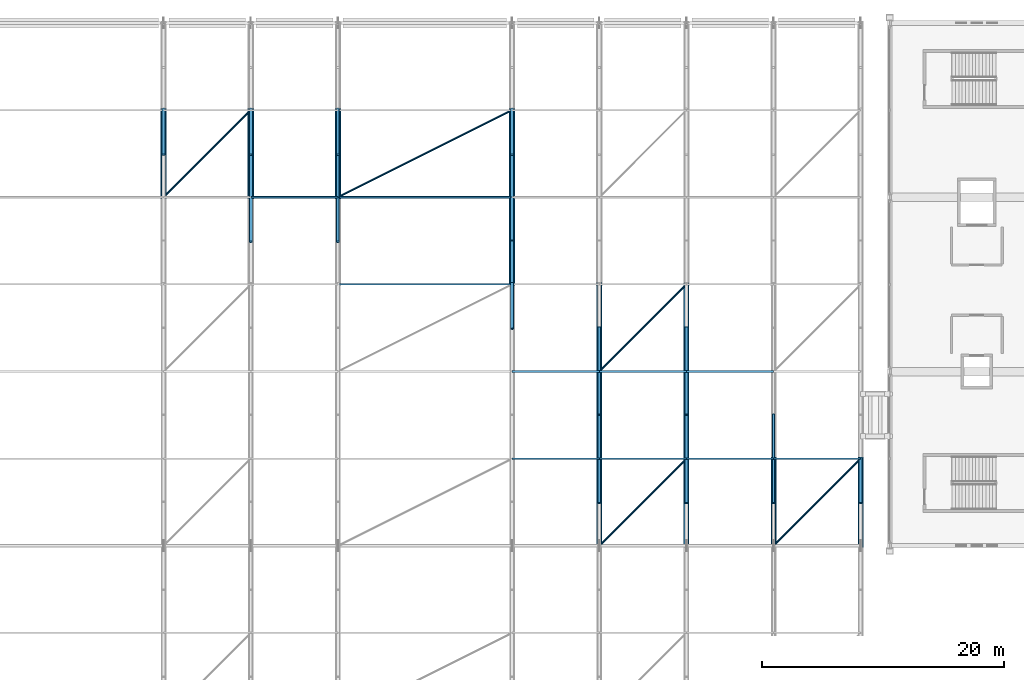
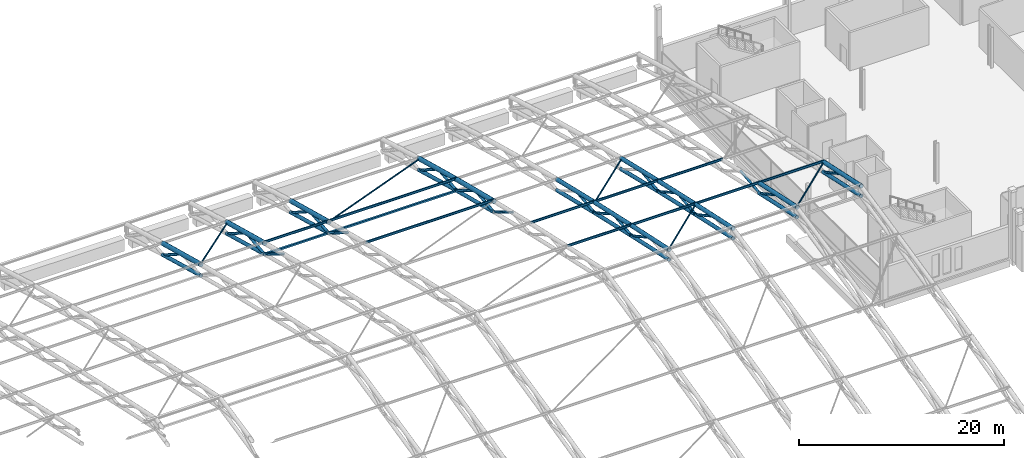
# One storey, part 51 of 193: 66 members.
"""IFC4 building model written with IfcOpenShell, lengths in metres."""

from ifc_helpers import new_model, si_unit, direction, frame, origin, origin_2d, place, context, subcontext, project, spatial, hollow_rectangle, hollow_circle, i_section, extrude, material, material_profile, profile_set, type_object, element, save


model = new_model("IFC4")

# Units and contexts
model_context = context("Model", 3, precision=1e-05, world=origin(), true_north=direction((0.0, 1.0)))
body_context = subcontext(model_context, "Body", "Model", "MODEL_VIEW")
ifc_project = project(units=[si_unit("LENGTHUNIT", "METRE"), si_unit("AREAUNIT", "SQUARE_METRE"), si_unit("VOLUMEUNIT", "CUBIC_METRE"), si_unit("PLANEANGLEUNIT", "RADIAN"), si_unit("MASSUNIT", "GRAM", prefix="KILO")], contexts=[model_context])

# Site, building, storey
site_placement = place(None, origin())
site = spatial("IfcSite", under=ifc_project, at=site_placement, CompositionType="ELEMENT")
building_placement = place(site_placement, origin())
building = spatial("IfcBuilding", under=site, at=building_placement, Name="Cendralis Lancet Convention Centre", CompositionType="ELEMENT")
storey_placement = place(building_placement, frame((0.0, 0.0, 10.199951171875)))
storey = spatial("IfcBuildingStorey", under=building, at=storey_placement, Name="L02", CompositionType="ELEMENT", Elevation=10.199951171875)

# Members
ifc_material = material(Name="Steel S355", Category="steel")
ifc_material_profile_1 = material_profile(ifc_material, hollow_circle(Radius=0.084228515625, WallThickness=0.008056640625, at=origin_2d()), Name="CHS 168.3x8.0")
ifc_profile_set_1 = profile_set([ifc_material_profile_1], Name="Steel S355")
member_type_1 = type_object("IfcMemberType", Name="STR-BR-RB01", PredefinedType="BRACE", material=ifc_profile_set_1)
member_1_placement = place(storey_placement, frame((64.800048828125, 122.39990234375, 7.576416015625), z_axis=(0.694854047824, 0.694877609387, -0.185264568107), x_axis=(-0.7071187694, 0.70709479277, 0.0)))
element("IfcMember", 1, at=member_1_placement, inside=storey, type_object=member_type_1, Name="Roof Diaphragm Brace RB01 V1-07-10A", PredefinedType="BRACE", context=body_context, shape_type="SweptSolid", body=[
    extrude(hollow_circle(Radius=0.084228515625, WallThickness=0.008056640625, at=origin_2d()), origin(), (0.0, 0.0, 1.0), 10.36181640625),
])
member_2_placement = place(storey_placement, frame((79.199951171875, 122.39990234375, 7.576416015625), z_axis=(0.888133117192, 0.444074087317, -0.11839666854), x_axis=(-0.44721966113, 0.894424158159, 0.0)))
element("IfcMember", 2, at=member_2_placement, inside=storey, type_object=member_type_1, Name="Roof Diaphragm Brace RB01 V1-09-10A", PredefinedType="BRACE", context=body_context, shape_type="SweptSolid", body=[
    extrude(hollow_circle(Radius=0.084228515625, WallThickness=0.008056640625, at=origin_2d()), origin(), (0.0, 0.0, 1.0), 16.2138671875),
])
member_3_placement = place(storey_placement, frame((100.800048828125, 93.60009765625, 14.199951171875), z_axis=(0.699157645692, 0.699157645692, -0.149523151856), x_axis=(-0.707106781187, 0.707106781187, 0.0)))
element("IfcMember", 3, at=member_3_placement, inside=storey, type_object=member_type_1, Name="Roof Diaphragm Brace RB01 V1-11-06A", PredefinedType="BRACE", context=body_context, shape_type="SweptSolid", body=[
    extrude(hollow_circle(Radius=0.084228515625, WallThickness=0.008056640625, at=origin_2d()), origin(), (0.0, 0.0, 1.0), 10.298095703125),
])
member_4_placement = place(storey_placement, frame((100.800048828125, 108.0, 11.056884765625), z_axis=(0.697591582707, 0.697591582707, -0.163499135997), x_axis=(-0.707106781187, 0.707106781187, 0.0)))
element("IfcMember", 4, at=member_4_placement, inside=storey, type_object=member_type_1, Name="Roof Diaphragm Brace RB01 V1-11-08A", PredefinedType="BRACE", context=body_context, shape_type="SweptSolid", body=[
    extrude(hollow_circle(Radius=0.084228515625, WallThickness=0.008056640625, at=origin_2d()), origin(), (0.0, 0.0, 1.0), 10.321044921875),
])
member_5_placement = place(storey_placement, frame((115.199951171875, 93.60009765625, 14.199951171875), z_axis=(0.699157645692, 0.699157645692, -0.149523151856), x_axis=(-0.707106781187, 0.707106781187, 0.0)))
element("IfcMember", 5, at=member_5_placement, inside=storey, type_object=member_type_1, Name="Roof Diaphragm Brace RB01 V1-13-06A", PredefinedType="BRACE", context=body_context, shape_type="SweptSolid", body=[
    extrude(hollow_circle(Radius=0.084228515625, WallThickness=0.008056640625, at=origin_2d()), origin(), (0.0, 0.0, 1.0), 10.298095703125),
])
ifc_material_profile_2 = material_profile(ifc_material, hollow_rectangle(XDim=0.199951171875, YDim=0.199951171875, WallThickness=0.010009765625, at=origin_2d()), Name="SHS 200x200x10.0")
ifc_profile_set_2 = profile_set([ifc_material_profile_2], Name="Steel S355")
member_type_2 = type_object("IfcMemberType", Name="STR-BR-ST01", PredefinedType="STRUT", material=ifc_profile_set_2)
member_6_placement = place(storey_placement, frame((72.0, 122.39990234375, 6.2509765625), z_axis=(1.0, 0.0, 0.0), x_axis=(0.0, 1.0, 0.0)))
element("IfcMember", 6, at=member_6_placement, inside=storey, type_object=member_type_2, Name="Arch Tie Strut ST01 V1-08-10", PredefinedType="STRUT", context=body_context, shape_type="SweptSolid", body=[
    extrude(hollow_rectangle(XDim=0.199951171875, YDim=0.199951171875, WallThickness=0.010009765625, at=origin_2d()), origin(), (0.0, 0.0, 1.0), 7.199951171875),
])
member_7_placement = place(storey_placement, frame((79.199951171875, 122.39990234375, 6.2509765625), z_axis=(1.0, 0.0, 0.0), x_axis=(0.0, 1.0, 0.0)))
element("IfcMember", 7, at=member_7_placement, inside=storey, type_object=member_type_2, Name="Arch Tie Strut ST01 V1-09-10", PredefinedType="STRUT", context=body_context, shape_type="SweptSolid", body=[
    extrude(hollow_rectangle(XDim=0.199951171875, YDim=0.199951171875, WallThickness=0.010009765625, at=origin_2d()), origin(), (0.0, 0.0, 1.0), 14.400146484375),
])
ifc_material_profile_3 = material_profile(ifc_material, i_section(OverallWidth=0.135009765625, OverallDepth=0.27001953125, WebThickness=0.006591796875, FlangeThickness=0.01025390625, FilletRadius=0.014892578125, at=origin_2d()), Name="IPE 270")
ifc_profile_set_3 = profile_set([ifc_material_profile_3], Name="Steel S355")
member_type_3 = type_object("IfcMemberType", Name="STR-PR-PR01", PredefinedType="PURLIN", material=ifc_profile_set_3)
member_8_placement = place(storey_placement, frame((72.0, 122.39990234375, 7.69140625), z_axis=(1.0, 0.0, 0.0), x_axis=(0.0, 1.0, 0.0)))
element("IfcMember", 8, at=member_8_placement, inside=storey, type_object=member_type_3, Name="Vault Roof Purlin PR01 V1-08-10", PredefinedType="PURLIN", context=body_context, shape_type="SweptSolid", body=[
    extrude(i_section(OverallWidth=0.135009765625, OverallDepth=0.27001953125, WebThickness=0.006591796875, FlangeThickness=0.01025390625, FilletRadius=0.014892578125, at=origin_2d()), origin(), (0.0, 0.0, 1.0), 7.199951171875),
])
for number, where, z_axis, x_axis, name in (
    (9, (79.199951171875, 115.199951171875, 9.484375), (1.0, 0.0, 0.0), (0.0, 1.0, 0.0), "Vault Roof Purlin PR01 V1-09-09"),
    (10, (79.199951171875, 122.39990234375, 7.69140625), (1.0, 0.0, 0.0), (0.0, 1.0, 0.0), "Vault Roof Purlin PR01 V1-09-10"),
):
    element("IfcMember", number, at=place(storey_placement, frame(where, z_axis=z_axis, x_axis=x_axis)), inside=storey, type_object=member_type_3, Name=name, PredefinedType="PURLIN", context=body_context, shape_type="SweptSolid", body=[
        extrude(i_section(OverallWidth=0.135009765625, OverallDepth=0.27001953125, WebThickness=0.006591796875, FlangeThickness=0.01025390625, FilletRadius=0.014892578125, at=origin_2d()), origin(), (0.0, 0.0, 1.0), 14.400146484375),
    ])
for number, where, z_axis, x_axis, name in (
    (11, (93.60009765625, 100.800048828125, 12.775146484375), (1.0, 0.0, 0.0), (0.0, 1.0, 0.0), "Vault Roof Purlin PR01 V1-10-07"),
    (12, (93.60009765625, 108.0, 11.171875), (1.0, 0.0, 0.0), (0.0, 1.0, 0.0), "Vault Roof Purlin PR01 V1-10-08"),
    (13, (100.800048828125, 100.800048828125, 12.775146484375), (1.0, 0.0, 0.0), (0.0, 1.0, 0.0), "Vault Roof Purlin PR01 V1-11-07"),
    (14, (100.800048828125, 108.0, 11.171875), (1.0, 0.0, 0.0), (0.0, 1.0, 0.0), "Vault Roof Purlin PR01 V1-11-08"),
    (15, (108.0, 100.800048828125, 12.775146484375), (1.0, 0.0, 0.0), (0.0, 1.0, 0.0), "Vault Roof Purlin PR01 V1-12-07"),
    (16, (108.0, 108.0, 11.171875), (1.0, 0.0, 0.0), (0.0, 1.0, 0.0), "Vault Roof Purlin PR01 V1-12-08"),
    (17, (115.199951171875, 100.800048828125, 12.775146484375), (1.0, 0.0, 0.0), (0.0, 1.0, 0.0), "Vault Roof Purlin PR01 V1-13-07"),
):
    element("IfcMember", number, at=place(storey_placement, frame(where, z_axis=z_axis, x_axis=x_axis)), inside=storey, type_object=member_type_3, Name=name, PredefinedType="PURLIN", context=body_context, shape_type="SweptSolid", body=[
        extrude(i_section(OverallWidth=0.135009765625, OverallDepth=0.27001953125, WebThickness=0.006591796875, FlangeThickness=0.01025390625, FilletRadius=0.014892578125, at=origin_2d()), origin(), (0.0, 0.0, 1.0), 7.199951171875),
    ])
ifc_material_profile_4 = material_profile(ifc_material, hollow_circle(Radius=0.203125, WallThickness=0.01611328125, at=origin_2d()), Name="CHS 406.4x16.0")
ifc_profile_set_4 = profile_set([ifc_material_profile_4], Name="Steel S355")
member_type_4 = type_object("IfcMemberType", Name="STR-TR-BC01", PredefinedType="CHORD", material=ifc_profile_set_4)
member_9_placement = place(storey_placement, frame((122.39990234375, 93.48291015625, 13.0498046875), z_axis=(0.0, 0.97683404926, -0.213998224775), x_axis=(-1.0, 0.0, 0.0)))
element("IfcMember", 18, at=member_9_placement, inside=storey, type_object=member_type_4, Name="ROOF TRUSS AT-V1-15 Bottom Chord 06", PredefinedType="CHORD", context=body_context, shape_type="SweptSolid", body=[
    extrude(hollow_circle(Radius=0.203125, WallThickness=0.01611328125, at=origin_2d()), origin(), (0.0, 0.0, 1.0), 7.610595703125),
])
ifc_material_profile_5 = material_profile(ifc_material, hollow_circle(Radius=0.203125, WallThickness=0.01611328125, at=origin_2d()), Name="CHS 406.4x16.0")
ifc_profile_set_5 = profile_set([ifc_material_profile_5], Name="Steel S355")
member_type_5 = type_object("IfcMemberType", Name="STR-TR-BC01-INT", PredefinedType="CHORD", material=ifc_profile_set_5)
for number, where, z_axis, x_axis, name in (
    (19, (64.800048828125, 122.2841796875, 6.282470703125), (0.0, 0.964987331955, -0.262296490953), (-1.0, 0.0, 0.0), "ROOF TRUSS AT-V1-08 Bottom Chord 10"),
    (20, (72.0, 122.2841796875, 6.282470703125), (0.0, 0.964987331955, -0.262296490953), (-1.0, 0.0, 0.0), "ROOF TRUSS AT-V1-09 Bottom Chord 10"),
    (21, (79.199951171875, 122.2841796875, 6.282470703125), (0.0, 0.964987331955, -0.262296490953), (-1.0, 0.0, 0.0), "ROOF TRUSS AT-V1-10 Bottom Chord 10"),
):
    element("IfcMember", number, at=place(storey_placement, frame(where, z_axis=z_axis, x_axis=x_axis)), inside=storey, type_object=member_type_5, Name=name, PredefinedType="CHORD", context=body_context, shape_type="SweptSolid", body=[
        extrude(hollow_circle(Radius=0.203125, WallThickness=0.01611328125, at=origin_2d()), origin(), (0.0, 0.0, 1.0), 7.701171875),
    ])
member_10_placement = place(storey_placement, frame((93.60009765625, 115.083740234375, 8.111083984375), z_axis=(0.0, 0.969168531094, -0.246398779092), x_axis=(-1.0, 0.0, 0.0)))
element("IfcMember", 22, at=member_10_placement, inside=storey, type_object=member_type_5, Name="ROOF TRUSS AT-V1-11 Bottom Chord 09", PredefinedType="CHORD", context=body_context, shape_type="SweptSolid", body=[
    extrude(hollow_circle(Radius=0.203125, WallThickness=0.01611328125, at=origin_2d()), origin(), (0.0, 0.0, 1.0), 7.6689453125),
])
member_11_placement = place(storey_placement, frame((93.60009765625, 122.2841796875, 6.282470703125), z_axis=(0.0, 0.964987331955, -0.262296490953), x_axis=(-1.0, 0.0, 0.0)))
element("IfcMember", 23, at=member_11_placement, inside=storey, type_object=member_type_5, Name="ROOF TRUSS AT-V1-11 Bottom Chord 10", PredefinedType="CHORD", context=body_context, shape_type="SweptSolid", body=[
    extrude(hollow_circle(Radius=0.203125, WallThickness=0.01611328125, at=origin_2d()), origin(), (0.0, 0.0, 1.0), 7.701171875),
])
member_12_placement = place(storey_placement, frame((100.800048828125, 93.48291015625, 13.0498046875), z_axis=(0.0, 0.97683404926, -0.213998224775), x_axis=(-1.0, 0.0, 0.0)))
element("IfcMember", 24, at=member_12_placement, inside=storey, type_object=member_type_5, Name="ROOF TRUSS AT-V1-12 Bottom Chord 06", PredefinedType="CHORD", context=body_context, shape_type="SweptSolid", body=[
    extrude(hollow_circle(Radius=0.203125, WallThickness=0.01611328125, at=origin_2d()), origin(), (0.0, 0.0, 1.0), 7.610595703125),
])
member_13_placement = place(storey_placement, frame((100.800048828125, 100.68310546875, 11.4736328125), z_axis=(0.0, 0.975002780506, -0.222192659658), x_axis=(-1.0, 0.0, 0.0)))
element("IfcMember", 25, at=member_13_placement, inside=storey, type_object=member_type_5, Name="ROOF TRUSS AT-V1-12 Bottom Chord 07", PredefinedType="CHORD", context=body_context, shape_type="SweptSolid", body=[
    extrude(hollow_circle(Radius=0.203125, WallThickness=0.01611328125, at=origin_2d()), origin(), (0.0, 0.0, 1.0), 7.62451171875),
])
member_14_placement = place(storey_placement, frame((100.800048828125, 107.88330078125, 9.834228515625), z_axis=(0.0, 0.97248347478, -0.232971868002), x_axis=(-1.0, 0.0, 0.0)))
element("IfcMember", 26, at=member_14_placement, inside=storey, type_object=member_type_5, Name="ROOF TRUSS AT-V1-12 Bottom Chord 08", PredefinedType="CHORD", context=body_context, shape_type="SweptSolid", body=[
    extrude(hollow_circle(Radius=0.203125, WallThickness=0.01611328125, at=origin_2d()), origin(), (0.0, 0.0, 1.0), 7.643798828125),
])
member_15_placement = place(storey_placement, frame((108.0, 93.48291015625, 13.0498046875), z_axis=(0.0, 0.97683404926, -0.213998224775), x_axis=(-1.0, 0.0, 0.0)))
element("IfcMember", 27, at=member_15_placement, inside=storey, type_object=member_type_5, Name="ROOF TRUSS AT-V1-13 Bottom Chord 06", PredefinedType="CHORD", context=body_context, shape_type="SweptSolid", body=[
    extrude(hollow_circle(Radius=0.203125, WallThickness=0.01611328125, at=origin_2d()), origin(), (0.0, 0.0, 1.0), 7.610595703125),
])
member_16_placement = place(storey_placement, frame((108.0, 100.68310546875, 11.4736328125), z_axis=(0.0, 0.975002780506, -0.222192659658), x_axis=(-1.0, 0.0, 0.0)))
element("IfcMember", 28, at=member_16_placement, inside=storey, type_object=member_type_5, Name="ROOF TRUSS AT-V1-13 Bottom Chord 07", PredefinedType="CHORD", context=body_context, shape_type="SweptSolid", body=[
    extrude(hollow_circle(Radius=0.203125, WallThickness=0.01611328125, at=origin_2d()), origin(), (0.0, 0.0, 1.0), 7.62451171875),
])
member_17_placement = place(storey_placement, frame((108.0, 107.88330078125, 9.834228515625), z_axis=(0.0, 0.97248347478, -0.232971868002), x_axis=(-1.0, 0.0, 0.0)))
element("IfcMember", 29, at=member_17_placement, inside=storey, type_object=member_type_5, Name="ROOF TRUSS AT-V1-13 Bottom Chord 08", PredefinedType="CHORD", context=body_context, shape_type="SweptSolid", body=[
    extrude(hollow_circle(Radius=0.203125, WallThickness=0.01611328125, at=origin_2d()), origin(), (0.0, 0.0, 1.0), 7.643798828125),
])
member_18_placement = place(storey_placement, frame((115.199951171875, 93.48291015625, 13.0498046875), z_axis=(0.0, 0.97683404926, -0.213998224775), x_axis=(-1.0, 0.0, 0.0)))
element("IfcMember", 30, at=member_18_placement, inside=storey, type_object=member_type_5, Name="ROOF TRUSS AT-V1-14 Bottom Chord 06", PredefinedType="CHORD", context=body_context, shape_type="SweptSolid", body=[
    extrude(hollow_circle(Radius=0.203125, WallThickness=0.01611328125, at=origin_2d()), origin(), (0.0, 0.0, 1.0), 7.610595703125),
])
ifc_material_profile_6 = material_profile(ifc_material, hollow_circle(Radius=0.25390625, WallThickness=0.02001953125, at=origin_2d()), Name="CHS 508.0x20.0")
ifc_profile_set_6 = profile_set([ifc_material_profile_6], Name="Steel S355")
member_type_6 = type_object("IfcMemberType", Name="STR-TR-TC01-INT", PredefinedType="CHORD", material=ifc_profile_set_6)
for number, where, z_axis, x_axis, name in (
    (31, (64.800048828125, 122.2841796875, 7.607177734375), (0.0, 0.966245475764, -0.257623136705), (-1.0, 0.0, 0.0), "ROOF TRUSS AT-V1-08 Top Chord 10"),
    (32, (72.0, 122.2841796875, 7.607177734375), (0.0, 0.966245475764, -0.257623136705), (-1.0, 0.0, 0.0), "ROOF TRUSS AT-V1-09 Top Chord 10"),
    (33, (79.199951171875, 122.2841796875, 7.607177734375), (0.0, 0.966245475764, -0.257623136705), (-1.0, 0.0, 0.0), "ROOF TRUSS AT-V1-10 Top Chord 10"),
):
    element("IfcMember", number, at=place(storey_placement, frame(where, z_axis=z_axis, x_axis=x_axis)), inside=storey, type_object=member_type_6, Name=name, PredefinedType="CHORD", context=body_context, shape_type="SweptSolid", body=[
        extrude(hollow_circle(Radius=0.25390625, WallThickness=0.02001953125, at=origin_2d()), origin(), (0.0, 0.0, 1.0), 7.691162109375),
    ])
member_19_placement = place(storey_placement, frame((93.60009765625, 115.08349609375, 9.3984375), z_axis=(0.0, 0.97036146187, -0.241658091769), x_axis=(-1.0, 0.0, 0.0)))
element("IfcMember", 34, at=member_19_placement, inside=storey, type_object=member_type_6, Name="ROOF TRUSS AT-V1-11 Top Chord 09", PredefinedType="CHORD", context=body_context, shape_type="SweptSolid", body=[
    extrude(hollow_circle(Radius=0.25390625, WallThickness=0.02001953125, at=origin_2d()), origin(), (0.0, 0.0, 1.0), 7.659912109375),
])
member_20_placement = place(storey_placement, frame((93.60009765625, 122.2841796875, 7.607177734375), z_axis=(0.0, 0.966245475764, -0.257623136705), x_axis=(-1.0, 0.0, 0.0)))
element("IfcMember", 35, at=member_20_placement, inside=storey, type_object=member_type_6, Name="ROOF TRUSS AT-V1-11 Top Chord 10", PredefinedType="CHORD", context=body_context, shape_type="SweptSolid", body=[
    extrude(hollow_circle(Radius=0.25390625, WallThickness=0.02001953125, at=origin_2d()), origin(), (0.0, 0.0, 1.0), 7.691162109375),
])
ifc_material_profile_7 = material_profile(ifc_material, hollow_circle(Radius=0.228515625, WallThickness=0.02001953125, at=origin_2d()), Name="CHS 457.0x20.0")
ifc_profile_set_7 = profile_set([ifc_material_profile_7], Name="Steel S355")
member_type_7 = type_object("IfcMemberType", Name="STR-TR-TC01B", PredefinedType="CHORD", material=ifc_profile_set_7)
member_21_placement = place(storey_placement, frame((122.39990234375, 93.482666015625, 14.22509765625), z_axis=(0.0, 0.97788410853, -0.209147484528), x_axis=(-1.0, 0.0, 0.0)))
element("IfcMember", 36, at=member_21_placement, inside=storey, type_object=member_type_7, Name="ROOF TRUSS AT-V1-15 Top Chord 06", PredefinedType="CHORD", context=body_context, shape_type="SweptSolid", body=[
    extrude(hollow_circle(Radius=0.228515625, WallThickness=0.02001953125, at=origin_2d()), origin(), (0.0, 0.0, 1.0), 7.602783203125),
])
ifc_material_profile_8 = material_profile(ifc_material, hollow_circle(Radius=0.228515625, WallThickness=0.02001953125, at=origin_2d()), Name="CHS 457.0x20.0")
ifc_profile_set_8 = profile_set([ifc_material_profile_8], Name="Steel S355")
member_type_8 = type_object("IfcMemberType", Name="STR-TR-TC01B-INT", PredefinedType="CHORD", material=ifc_profile_set_8)
member_22_placement = place(storey_placement, frame((100.800048828125, 93.482666015625, 14.22509765625), z_axis=(0.0, 0.97788410853, -0.209147484528), x_axis=(-1.0, 0.0, 0.0)))
element("IfcMember", 37, at=member_22_placement, inside=storey, type_object=member_type_8, Name="ROOF TRUSS AT-V1-12 Top Chord 06", PredefinedType="CHORD", context=body_context, shape_type="SweptSolid", body=[
    extrude(hollow_circle(Radius=0.228515625, WallThickness=0.02001953125, at=origin_2d()), origin(), (0.0, 0.0, 1.0), 7.602783203125),
])
member_23_placement = place(storey_placement, frame((100.800048828125, 100.682861328125, 12.686279296875), z_axis=(0.0, 0.976091178672, -0.217361475241), x_axis=(-1.0, 0.0, 0.0)))
element("IfcMember", 38, at=member_23_placement, inside=storey, type_object=member_type_8, Name="ROOF TRUSS AT-V1-12 Top Chord 07", PredefinedType="CHORD", context=body_context, shape_type="SweptSolid", body=[
    extrude(hollow_circle(Radius=0.228515625, WallThickness=0.02001953125, at=origin_2d()), origin(), (0.0, 0.0, 1.0), 7.616455078125),
])
member_24_placement = place(storey_placement, frame((100.800048828125, 107.88330078125, 11.084228515625), z_axis=(0.0, 0.973618086595, -0.22818374494), x_axis=(-1.0, 0.0, 0.0)))
element("IfcMember", 39, at=member_24_placement, inside=storey, type_object=member_type_8, Name="ROOF TRUSS AT-V1-12 Top Chord 08", PredefinedType="CHORD", context=body_context, shape_type="SweptSolid", body=[
    extrude(hollow_circle(Radius=0.228515625, WallThickness=0.02001953125, at=origin_2d()), origin(), (0.0, 0.0, 1.0), 7.635009765625),
])
member_25_placement = place(storey_placement, frame((108.0, 93.482666015625, 14.22509765625), z_axis=(0.0, 0.97788410853, -0.209147484528), x_axis=(-1.0, 0.0, 0.0)))
element("IfcMember", 40, at=member_25_placement, inside=storey, type_object=member_type_8, Name="ROOF TRUSS AT-V1-13 Top Chord 06", PredefinedType="CHORD", context=body_context, shape_type="SweptSolid", body=[
    extrude(hollow_circle(Radius=0.228515625, WallThickness=0.02001953125, at=origin_2d()), origin(), (0.0, 0.0, 1.0), 7.602783203125),
])
member_26_placement = place(storey_placement, frame((108.0, 100.682861328125, 12.686279296875), z_axis=(0.0, 0.976091178672, -0.217361475241), x_axis=(-1.0, 0.0, 0.0)))
element("IfcMember", 41, at=member_26_placement, inside=storey, type_object=member_type_8, Name="ROOF TRUSS AT-V1-13 Top Chord 07", PredefinedType="CHORD", context=body_context, shape_type="SweptSolid", body=[
    extrude(hollow_circle(Radius=0.228515625, WallThickness=0.02001953125, at=origin_2d()), origin(), (0.0, 0.0, 1.0), 7.616455078125),
])
member_27_placement = place(storey_placement, frame((108.0, 107.88330078125, 11.084228515625), z_axis=(0.0, 0.973618086595, -0.22818374494), x_axis=(-1.0, 0.0, 0.0)))
element("IfcMember", 42, at=member_27_placement, inside=storey, type_object=member_type_8, Name="ROOF TRUSS AT-V1-13 Top Chord 08", PredefinedType="CHORD", context=body_context, shape_type="SweptSolid", body=[
    extrude(hollow_circle(Radius=0.228515625, WallThickness=0.02001953125, at=origin_2d()), origin(), (0.0, 0.0, 1.0), 7.635009765625),
])
member_28_placement = place(storey_placement, frame((115.199951171875, 93.482666015625, 14.22509765625), z_axis=(0.0, 0.97788410853, -0.209147484528), x_axis=(-1.0, 0.0, 0.0)))
element("IfcMember", 43, at=member_28_placement, inside=storey, type_object=member_type_8, Name="ROOF TRUSS AT-V1-14 Top Chord 06", PredefinedType="CHORD", context=body_context, shape_type="SweptSolid", body=[
    extrude(hollow_circle(Radius=0.228515625, WallThickness=0.02001953125, at=origin_2d()), origin(), (0.0, 0.0, 1.0), 7.602783203125),
])
ifc_material_profile_9 = material_profile(ifc_material, hollow_circle(Radius=0.149169921875, WallThickness=0.012451171875, at=origin_2d()), Name="CHS 298.5x12.5")
ifc_profile_set_9 = profile_set([ifc_material_profile_9], Name="Steel S355")
member_type_9 = type_object("IfcMemberType", Name="STR-TR-WD01-INT", PredefinedType="BRACE", material=ifc_profile_set_9)
member_29_placement = place(storey_placement, frame((64.800048828125, 125.916015625, 6.670654296875), z_axis=(0.0, 0.840307049061, -0.542110748186), x_axis=(-1.0, 0.0, 0.0)))
element("IfcMember", 44, at=member_29_placement, inside=storey, type_object=member_type_9, Name="ROOF TRUSS AT-V1-08 Warren Web 10-1", PredefinedType="BRACE", context=body_context, shape_type="SweptSolid", body=[
    extrude(hollow_circle(Radius=0.149169921875, WallThickness=0.012451171875, at=origin_2d()), origin(), (0.0, 0.0, 1.0), 4.484130859375),
])
member_30_placement = place(storey_placement, frame((72.0, 118.71484375, 8.525390625), z_axis=(0.0, 0.850978373815, -0.525200730482), x_axis=(-1.0, 0.0, 0.0)))
element("IfcMember", 45, at=member_30_placement, inside=storey, type_object=member_type_9, Name="ROOF TRUSS AT-V1-09 Warren Web 09-1", PredefinedType="BRACE", context=body_context, shape_type="SweptSolid", body=[
    extrude(hollow_circle(Radius=0.149169921875, WallThickness=0.012451171875, at=origin_2d()), origin(), (0.0, 0.0, 1.0), 4.430419921875),
])
member_31_placement = place(storey_placement, frame((72.0, 122.300537109375, 6.240966796875), z_axis=(0.0, 0.994884749511, 0.101016509493), x_axis=(-1.0, 0.0, 0.0)))
element("IfcMember", 46, at=member_31_placement, inside=storey, type_object=member_type_9, Name="ROOF TRUSS AT-V1-09 Warren Web 10-0", PredefinedType="BRACE", context=body_context, shape_type="SweptSolid", body=[
    extrude(hollow_circle(Radius=0.149169921875, WallThickness=0.012451171875, at=origin_2d()), origin(), (0.0, 0.0, 1.0), 3.818603515625),
])
member_32_placement = place(storey_placement, frame((72.0, 125.916015625, 6.670654296875), z_axis=(0.0, 0.840307049061, -0.542110748186), x_axis=(-1.0, 0.0, 0.0)))
element("IfcMember", 47, at=member_32_placement, inside=storey, type_object=member_type_9, Name="ROOF TRUSS AT-V1-09 Warren Web 10-1", PredefinedType="BRACE", context=body_context, shape_type="SweptSolid", body=[
    extrude(hollow_circle(Radius=0.149169921875, WallThickness=0.012451171875, at=origin_2d()), origin(), (0.0, 0.0, 1.0), 4.484130859375),
])
member_33_placement = place(storey_placement, frame((79.199951171875, 118.71484375, 8.525390625), z_axis=(0.0, 0.850978373815, -0.525200730482), x_axis=(-1.0, 0.0, 0.0)))
element("IfcMember", 48, at=member_33_placement, inside=storey, type_object=member_type_9, Name="ROOF TRUSS AT-V1-10 Warren Web 09-1", PredefinedType="BRACE", context=body_context, shape_type="SweptSolid", body=[
    extrude(hollow_circle(Radius=0.149169921875, WallThickness=0.012451171875, at=origin_2d()), origin(), (0.0, 0.0, 1.0), 4.430419921875),
])
member_34_placement = place(storey_placement, frame((79.199951171875, 122.300537109375, 6.240966796875), z_axis=(0.0, 0.994884749511, 0.101016509493), x_axis=(-1.0, 0.0, 0.0)))
element("IfcMember", 49, at=member_34_placement, inside=storey, type_object=member_type_9, Name="ROOF TRUSS AT-V1-10 Warren Web 10-0", PredefinedType="BRACE", context=body_context, shape_type="SweptSolid", body=[
    extrude(hollow_circle(Radius=0.149169921875, WallThickness=0.012451171875, at=origin_2d()), origin(), (0.0, 0.0, 1.0), 3.818603515625),
])
member_35_placement = place(storey_placement, frame((79.199951171875, 125.916015625, 6.670654296875), z_axis=(0.0, 0.840307049061, -0.542110748186), x_axis=(-1.0, 0.0, 0.0)))
element("IfcMember", 50, at=member_35_placement, inside=storey, type_object=member_type_9, Name="ROOF TRUSS AT-V1-10 Warren Web 10-1", PredefinedType="BRACE", context=body_context, shape_type="SweptSolid", body=[
    extrude(hollow_circle(Radius=0.149169921875, WallThickness=0.012451171875, at=origin_2d()), origin(), (0.0, 0.0, 1.0), 4.484130859375),
])
member_36_placement = place(storey_placement, frame((93.60009765625, 115.1005859375, 8.070556640625), z_axis=(0.0, 0.994139687453, 0.108103107402), x_axis=(-1.0, 0.0, 0.0)))
element("IfcMember", 51, at=member_36_placement, inside=storey, type_object=member_type_9, Name="ROOF TRUSS AT-V1-11 Warren Web 09-0", PredefinedType="BRACE", context=body_context, shape_type="SweptSolid", body=[
    extrude(hollow_circle(Radius=0.149169921875, WallThickness=0.012451171875, at=origin_2d()), origin(), (0.0, 0.0, 1.0), 3.8212890625),
])
member_37_placement = place(storey_placement, frame((93.60009765625, 118.71484375, 8.525390625), z_axis=(0.0, 0.850978373815, -0.525200730482), x_axis=(-1.0, 0.0, 0.0)))
element("IfcMember", 52, at=member_37_placement, inside=storey, type_object=member_type_9, Name="ROOF TRUSS AT-V1-11 Warren Web 09-1", PredefinedType="BRACE", context=body_context, shape_type="SweptSolid", body=[
    extrude(hollow_circle(Radius=0.149169921875, WallThickness=0.012451171875, at=origin_2d()), origin(), (0.0, 0.0, 1.0), 4.430419921875),
])
member_38_placement = place(storey_placement, frame((93.60009765625, 122.300537109375, 6.240966796875), z_axis=(0.0, 0.994884749511, 0.101016509493), x_axis=(-1.0, 0.0, 0.0)))
element("IfcMember", 53, at=member_38_placement, inside=storey, type_object=member_type_9, Name="ROOF TRUSS AT-V1-11 Warren Web 10-0", PredefinedType="BRACE", context=body_context, shape_type="SweptSolid", body=[
    extrude(hollow_circle(Radius=0.149169921875, WallThickness=0.012451171875, at=origin_2d()), origin(), (0.0, 0.0, 1.0), 3.818603515625),
])
member_39_placement = place(storey_placement, frame((93.60009765625, 125.916015625, 6.670654296875), z_axis=(0.0, 0.840307049061, -0.542110748186), x_axis=(-1.0, 0.0, 0.0)))
element("IfcMember", 54, at=member_39_placement, inside=storey, type_object=member_type_9, Name="ROOF TRUSS AT-V1-11 Warren Web 10-1", PredefinedType="BRACE", context=body_context, shape_type="SweptSolid", body=[
    extrude(hollow_circle(Radius=0.149169921875, WallThickness=0.012451171875, at=origin_2d()), origin(), (0.0, 0.0, 1.0), 4.484130859375),
])
ifc_material_profile_10 = material_profile(ifc_material, hollow_circle(Radius=0.136474609375, WallThickness=0.012451171875, at=origin_2d()), Name="CHS 273.0x12.5")
ifc_profile_set_10 = profile_set([ifc_material_profile_10], Name="Steel S355")
member_type_10 = type_object("IfcMemberType", Name="STR-TR-WD01B", PredefinedType="BRACE", material=ifc_profile_set_10)
member_40_placement = place(storey_placement, frame((122.39990234375, 97.1123046875, 13.478271484375), z_axis=(0.0, 0.875885645672, -0.482518741301), x_axis=(-1.0, 0.0, 0.0)))
element("IfcMember", 55, at=member_40_placement, inside=storey, type_object=member_type_10, Name="ROOF TRUSS AT-V1-15 Warren Web 06-1", PredefinedType="BRACE", context=body_context, shape_type="SweptSolid", body=[
    extrude(hollow_circle(Radius=0.136474609375, WallThickness=0.012451171875, at=origin_2d()), origin(), (0.0, 0.0, 1.0), 4.310302734375),
])
ifc_material_profile_11 = material_profile(ifc_material, hollow_circle(Radius=0.136474609375, WallThickness=0.012451171875, at=origin_2d()), Name="CHS 273.0x12.5")
ifc_profile_set_11 = profile_set([ifc_material_profile_11], Name="Steel S355")
member_type_11 = type_object("IfcMemberType", Name="STR-TR-WD01B-INT", PredefinedType="BRACE", material=ifc_profile_set_11)
member_41_placement = place(storey_placement, frame((93.60009765625, 111.513916015625, 10.26416015625), z_axis=(0.0, 0.860451614668, -0.509532156802), x_axis=(-1.0, 0.0, 0.0)))
element("IfcMember", 56, at=member_41_placement, inside=storey, type_object=member_type_11, Name="ROOF TRUSS AT-V1-11 Warren Web 08-1", PredefinedType="BRACE", context=body_context, shape_type="SweptSolid", body=[
    extrude(hollow_circle(Radius=0.136474609375, WallThickness=0.012451171875, at=origin_2d()), origin(), (0.0, 0.0, 1.0), 4.3837890625),
])
member_42_placement = place(storey_placement, frame((100.800048828125, 97.1123046875, 13.478271484375), z_axis=(0.0, 0.875885645672, -0.482518741301), x_axis=(-1.0, 0.0, 0.0)))
element("IfcMember", 57, at=member_42_placement, inside=storey, type_object=member_type_11, Name="ROOF TRUSS AT-V1-12 Warren Web 06-1", PredefinedType="BRACE", context=body_context, shape_type="SweptSolid", body=[
    extrude(hollow_circle(Radius=0.136474609375, WallThickness=0.012451171875, at=origin_2d()), origin(), (0.0, 0.0, 1.0), 4.310302734375),
])
member_43_placement = place(storey_placement, frame((100.800048828125, 100.70068359375, 11.435546875), z_axis=(0.0, 0.993527526481, 0.113591611157), x_axis=(-1.0, 0.0, 0.0)))
element("IfcMember", 58, at=member_43_placement, inside=storey, type_object=member_type_11, Name="ROOF TRUSS AT-V1-12 Warren Web 07-0", PredefinedType="BRACE", context=body_context, shape_type="SweptSolid", body=[
    extrude(hollow_circle(Radius=0.136474609375, WallThickness=0.012451171875, at=origin_2d()), origin(), (0.0, 0.0, 1.0), 3.823486328125),
])
member_44_placement = place(storey_placement, frame((100.800048828125, 104.31298828125, 11.907958984375), z_axis=(0.0, 0.86877872096, -0.495200498795), x_axis=(-1.0, 0.0, 0.0)))
element("IfcMember", 59, at=member_44_placement, inside=storey, type_object=member_type_11, Name="ROOF TRUSS AT-V1-12 Warren Web 07-1", PredefinedType="BRACE", context=body_context, shape_type="SweptSolid", body=[
    extrude(hollow_circle(Radius=0.136474609375, WallThickness=0.012451171875, at=origin_2d()), origin(), (0.0, 0.0, 1.0), 4.343994140625),
])
member_45_placement = place(storey_placement, frame((100.800048828125, 107.900634765625, 9.795166015625), z_axis=(0.0, 0.993677994269, 0.112267732257), x_axis=(-1.0, 0.0, 0.0)))
element("IfcMember", 60, at=member_45_placement, inside=storey, type_object=member_type_11, Name="ROOF TRUSS AT-V1-12 Warren Web 08-0", PredefinedType="BRACE", context=body_context, shape_type="SweptSolid", body=[
    extrude(hollow_circle(Radius=0.136474609375, WallThickness=0.012451171875, at=origin_2d()), origin(), (0.0, 0.0, 1.0), 3.822998046875),
])
member_46_placement = place(storey_placement, frame((108.0, 97.1123046875, 13.478271484375), z_axis=(0.0, 0.875885645672, -0.482518741301), x_axis=(-1.0, 0.0, 0.0)))
element("IfcMember", 61, at=member_46_placement, inside=storey, type_object=member_type_11, Name="ROOF TRUSS AT-V1-13 Warren Web 06-1", PredefinedType="BRACE", context=body_context, shape_type="SweptSolid", body=[
    extrude(hollow_circle(Radius=0.136474609375, WallThickness=0.012451171875, at=origin_2d()), origin(), (0.0, 0.0, 1.0), 4.310302734375),
])
member_47_placement = place(storey_placement, frame((108.0, 100.70068359375, 11.435546875), z_axis=(0.0, 0.993527526481, 0.113591611157), x_axis=(-1.0, 0.0, 0.0)))
element("IfcMember", 62, at=member_47_placement, inside=storey, type_object=member_type_11, Name="ROOF TRUSS AT-V1-13 Warren Web 07-0", PredefinedType="BRACE", context=body_context, shape_type="SweptSolid", body=[
    extrude(hollow_circle(Radius=0.136474609375, WallThickness=0.012451171875, at=origin_2d()), origin(), (0.0, 0.0, 1.0), 3.823486328125),
])
member_48_placement = place(storey_placement, frame((108.0, 104.31298828125, 11.907958984375), z_axis=(0.0, 0.86877872096, -0.495200498795), x_axis=(-1.0, 0.0, 0.0)))
element("IfcMember", 63, at=member_48_placement, inside=storey, type_object=member_type_11, Name="ROOF TRUSS AT-V1-13 Warren Web 07-1", PredefinedType="BRACE", context=body_context, shape_type="SweptSolid", body=[
    extrude(hollow_circle(Radius=0.136474609375, WallThickness=0.012451171875, at=origin_2d()), origin(), (0.0, 0.0, 1.0), 4.343994140625),
])
member_49_placement = place(storey_placement, frame((108.0, 107.900634765625, 9.795166015625), z_axis=(0.0, 0.993677994269, 0.112267732257), x_axis=(-1.0, 0.0, 0.0)))
element("IfcMember", 64, at=member_49_placement, inside=storey, type_object=member_type_11, Name="ROOF TRUSS AT-V1-13 Warren Web 08-0", PredefinedType="BRACE", context=body_context, shape_type="SweptSolid", body=[
    extrude(hollow_circle(Radius=0.136474609375, WallThickness=0.012451171875, at=origin_2d()), origin(), (0.0, 0.0, 1.0), 3.822998046875),
])
member_50_placement = place(storey_placement, frame((115.199951171875, 97.1123046875, 13.478271484375), z_axis=(0.0, 0.875885645672, -0.482518741301), x_axis=(-1.0, 0.0, 0.0)))
element("IfcMember", 65, at=member_50_placement, inside=storey, type_object=member_type_11, Name="ROOF TRUSS AT-V1-14 Warren Web 06-1", PredefinedType="BRACE", context=body_context, shape_type="SweptSolid", body=[
    extrude(hollow_circle(Radius=0.136474609375, WallThickness=0.012451171875, at=origin_2d()), origin(), (0.0, 0.0, 1.0), 4.310302734375),
])
member_51_placement = place(storey_placement, frame((115.199951171875, 100.70068359375, 11.435546875), z_axis=(0.0, 0.993527526481, 0.113591611157), x_axis=(-1.0, 0.0, 0.0)))
element("IfcMember", 66, at=member_51_placement, inside=storey, type_object=member_type_11, Name="ROOF TRUSS AT-V1-14 Warren Web 07-0", PredefinedType="BRACE", context=body_context, shape_type="SweptSolid", body=[
    extrude(hollow_circle(Radius=0.136474609375, WallThickness=0.012451171875, at=origin_2d()), origin(), (0.0, 0.0, 1.0), 3.823486328125),
])

save(model, "model.ifc")
